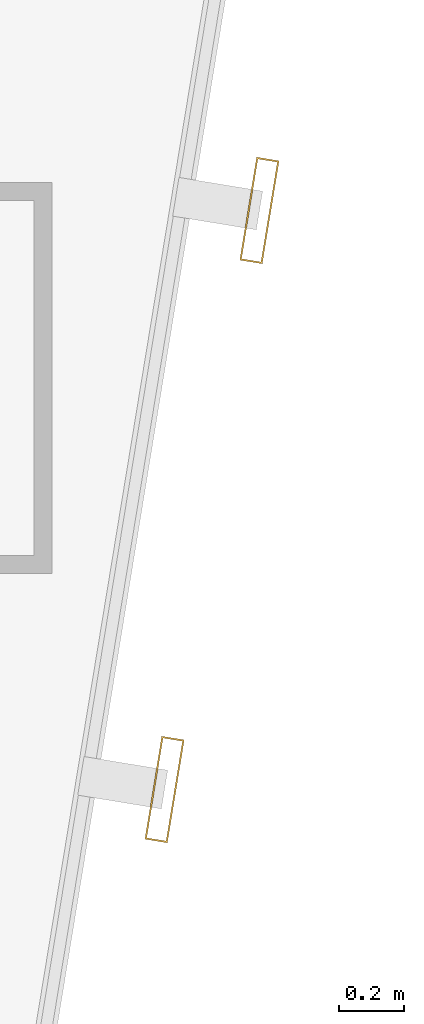
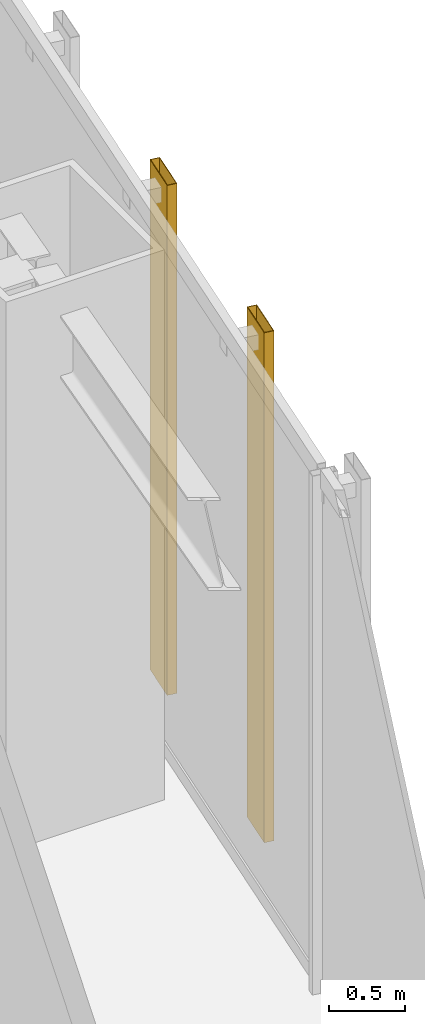
# One storey, part 45 of 47: 2 shading devices.
"""IFC4 building model written with IfcOpenShell, lengths in metres."""

from ifc_helpers import new_model, si_unit, direction, frame, origin, origin_2d, place, context, subcontext, project, spatial, hollow_rectangle, extrude, material, material_profile, profile_set, type_object, element, save


model = new_model("IFC4")

# Units and contexts
model_context = context("Model", 3, precision=1e-05, world=origin(), true_north=direction((0.0, 1.0)))
body_context = subcontext(model_context, "Body", "Model", "MODEL_VIEW")
ifc_project = project(units=[si_unit("LENGTHUNIT", "METRE"), si_unit("AREAUNIT", "SQUARE_METRE"), si_unit("VOLUMEUNIT", "CUBIC_METRE"), si_unit("PLANEANGLEUNIT", "RADIAN"), si_unit("MASSUNIT", "GRAM", prefix="KILO")], contexts=[model_context])

# Site, building, storey
site_placement = place(None, origin())
site = spatial("IfcSite", under=ifc_project, at=site_placement, CompositionType="ELEMENT")
building_placement = place(site_placement, origin())
building = spatial("IfcBuilding", under=site, at=building_placement, Name="Saevonmaru Cultural Tower", CompositionType="ELEMENT")
storey_placement = place(building_placement, frame((0.0, 0.0, 60.39990234375)))
storey = spatial("IfcBuildingStorey", under=building, at=storey_placement, Name="L12", CompositionType="ELEMENT", Elevation=60.39990234375)

# Shading devices
ifc_material = material(Name="Satin Bronze Anodised Aluminium", Category="aluminium")
ifc_material_profile = material_profile(ifc_material, hollow_rectangle(XDim=0.070068359375, YDim=0.320068359375, WallThickness=0.0048828125, at=origin_2d()), Name="FIN-320x70")
ifc_profile_set = profile_set([ifc_material_profile], Name="Satin Bronze Anodised Aluminium")
shading_device_type = type_object("IfcShadingDeviceType", Name="SHD-FIN-320", PredefinedType="JALOUSIE", material=ifc_profile_set)
for number, where, z_axis, x_axis, name in (
    (1, (52.6279296875, 30.737548828125, 0.050048828125), (0.0, 0.0, 1.0), (0.986827496189, -0.161776057456, 0.0), "L12 Art Deco Sawtooth Bronze Fin E8-15"),
    (2, (52.9189453125, 32.513916015625, 0.050048828125), (0.0, 0.0, 1.0), (0.986827496189, -0.161776057456, 0.0), "L12 Art Deco Sawtooth Bronze Fin E8-16"),
):
    element("IfcShadingDevice", number, at=place(storey_placement, frame(where, z_axis=z_axis, x_axis=x_axis)), inside=storey, type_object=shading_device_type, Name=name, PredefinedType="JALOUSIE", context=body_context, shape_type="SweptSolid", body=[
        extrude(hollow_rectangle(XDim=0.070068359375, YDim=0.320068359375, WallThickness=0.0048828125, at=origin_2d()), origin(), (0.0, 0.0, 1.0), 4.080078125),
    ])

save(model, "model.ifc")
